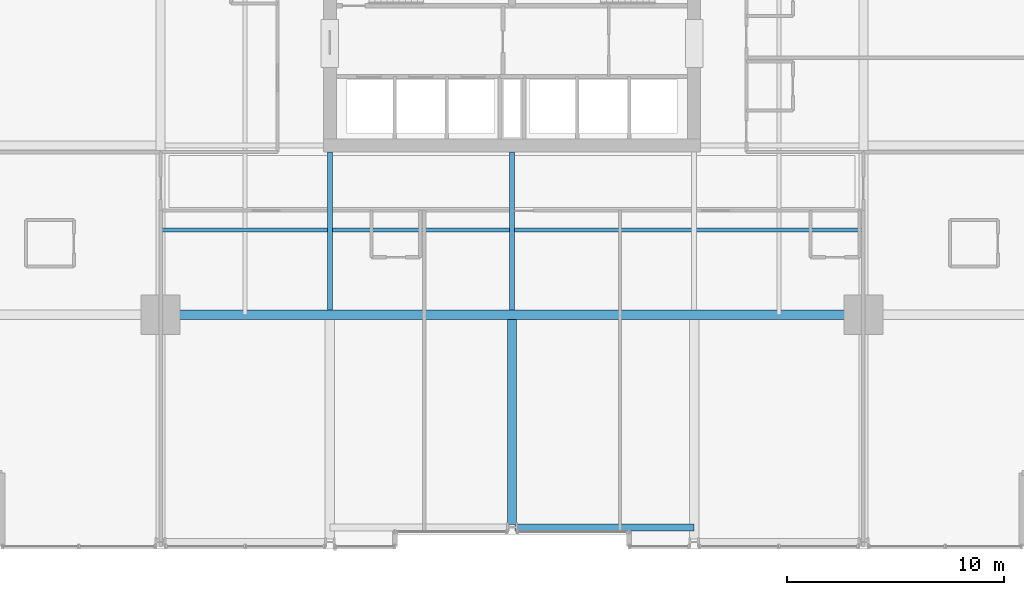
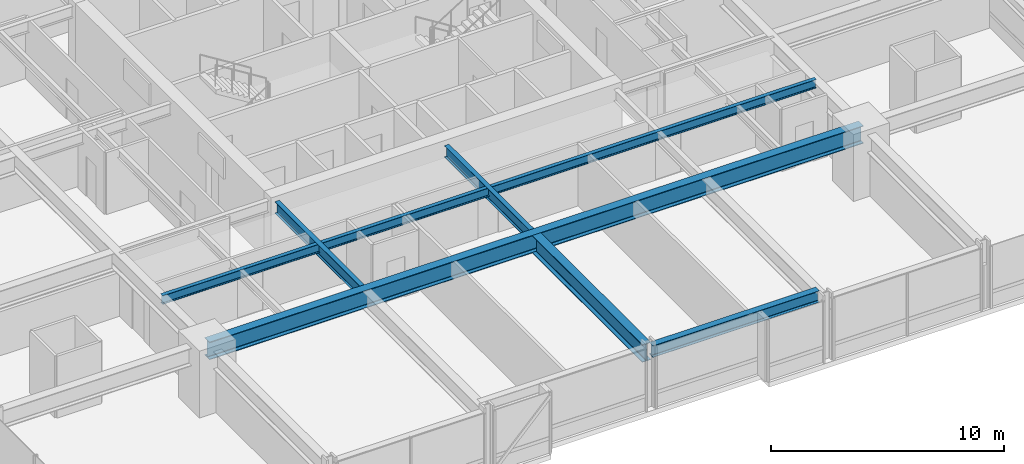
# One storey, part 6 of 38: 6 beams.
"""IFC4 building model written with IfcOpenShell, lengths in metres."""

from ifc_helpers import new_model, si_unit, direction, frame, origin, origin_2d, place, context, subcontext, project, spatial, i_section, extrude, material, material_profile, profile_set, type_object, element, save


model = new_model("IFC4")

# Units and contexts
model_context = context("Model", 3, precision=1e-05, world=origin(), true_north=direction((0.0, 1.0)))
body_context = subcontext(model_context, "Body", "Model", "MODEL_VIEW")
ifc_project = project(units=[si_unit("LENGTHUNIT", "METRE"), si_unit("AREAUNIT", "SQUARE_METRE"), si_unit("VOLUMEUNIT", "CUBIC_METRE"), si_unit("PLANEANGLEUNIT", "RADIAN"), si_unit("MASSUNIT", "GRAM", prefix="KILO")], contexts=[model_context])

# Site, building, storey
site_placement = place(None, origin())
site = spatial("IfcSite", under=ifc_project, at=site_placement, CompositionType="ELEMENT")
building_placement = place(site_placement, origin())
building = spatial("IfcBuilding", under=site, at=building_placement, Name="Drelvath Grand Hotel", CompositionType="ELEMENT")
storey_placement = place(building_placement, frame((0.0, 0.0, 47.199951171875)))
storey = spatial("IfcBuildingStorey", under=building, at=storey_placement, Name="L10", CompositionType="ELEMENT", Elevation=47.199951171875)

# Beams
ifc_material = material(Name="Steel ASTM A992 Gr 50", Category="steel")
ifc_material_profile_1 = material_profile(ifc_material, i_section(OverallWidth=0.19140625, OverallDepth=0.4599609375, WebThickness=0.010009765625, FlangeThickness=0.01611328125, FilletRadius=0.01611328125, at=origin_2d()), Name="W18X55")
ifc_profile_set_1 = profile_set([ifc_material_profile_1], Name="Steel ASTM A992 Gr 50")
beam_type_1 = type_object("IfcBeamType", Name="Composite Floor Joist W18X55", PredefinedType="JOIST", material=ifc_profile_set_1)
beam_1_placement = place(storey_placement, frame((-16.199951171875, 14.699951171875, 3.010009765625), z_axis=(1.0, 0.0, 0.0), x_axis=(0.0, 1.0, 0.0)))
element("IfcBeam", 1, at=beam_1_placement, inside=storey, type_object=beam_type_1, Name="L10 Floor Joist J1", PredefinedType="JOIST", context=body_context, shape_type="SweptSolid", body=[
    extrude(i_section(OverallWidth=0.19140625, OverallDepth=0.4599609375, WebThickness=0.010009765625, FlangeThickness=0.01611328125, FilletRadius=0.01611328125, at=origin_2d()), origin(), (0.0, 0.0, 1.0), 32.39990234375),
])
ifc_material_profile_2 = material_profile(ifc_material, i_section(OverallWidth=0.323974609375, OverallDepth=0.611083984375, WebThickness=0.0126953125, FlangeThickness=0.01904296875, FilletRadius=0.02197265625, at=origin_2d()), Name="W24X104")
ifc_profile_set_2 = profile_set([ifc_material_profile_2], Name="Steel ASTM A992 Gr 50")
beam_type_2 = type_object("IfcBeamType", Name="Perimeter Spandrel Beam W24X104", PredefinedType="SPANDREL", material=ifc_profile_set_2)
beam_2_placement = place(storey_placement, frame((0.139892578125, 1.0, 2.9345703125), z_axis=(1.0, 0.0, 0.0), x_axis=(0.0, 1.0, 0.0)))
element("IfcBeam", 2, at=beam_2_placement, inside=storey, type_object=beam_type_2, Name="L10 Spandrel South Mid E", PredefinedType="SPANDREL", context=body_context, shape_type="SweptSolid", body=[
    extrude(i_section(OverallWidth=0.323974609375, OverallDepth=0.611083984375, WebThickness=0.0126953125, FlangeThickness=0.01904296875, FilletRadius=0.02197265625, at=origin_2d()), origin(), (0.0, 0.0, 1.0), 8.260009765625),
])
ifc_material_profile_3 = material_profile(ifc_material, i_section(OverallWidth=0.228271484375, OverallDepth=0.607666015625, WebThickness=0.01123046875, FlangeThickness=0.017333984375, FilletRadius=0.02001953125, at=origin_2d()), Name="W24X76")
ifc_profile_set_3 = profile_set([ifc_material_profile_3], Name="Steel ASTM A992 Gr 50")
beam_type_3 = type_object("IfcBeamType", Name="Primary Floor Girder W24X76", PredefinedType="BEAM", material=ifc_profile_set_3)
for number, where, z_axis, x_axis, name in (
    (3, (-8.39990234375, 11.00927734375, 2.936279296875), (0.0, 1.0, 0.0), (-1.0, 0.0, 0.0), "L10 South Core Tie 4"),
    (4, (0.0, 11.00927734375, 2.936279296875), (0.0, 1.0, 0.0), (-1.0, 0.0, 0.0), "L10 South Core Tie 5"),
):
    element("IfcBeam", number, at=place(storey_placement, frame(where, z_axis=z_axis, x_axis=x_axis)), inside=storey, type_object=beam_type_3, Name=name, PredefinedType="BEAM", context=body_context, shape_type="SweptSolid", body=[
        extrude(i_section(OverallWidth=0.228271484375, OverallDepth=0.607666015625, WebThickness=0.01123046875, FlangeThickness=0.017333984375, FilletRadius=0.02001953125, at=origin_2d()), origin(), (0.0, 0.0, 1.0), 7.290771484375),
    ])
ifc_material_profile_4 = material_profile(ifc_material, i_section(OverallWidth=0.418212890625, OverallDepth=0.926513671875, WebThickness=0.019287109375, FlangeThickness=0.031982421875, FilletRadius=0.028076171875, at=origin_2d()), Name="W36X231")
ifc_profile_set_4 = profile_set([ifc_material_profile_4], Name="Steel ASTM A992 Gr 50")
beam_type_4 = type_object("IfcBeamType", Name="Primary Floor Girder W36X231", PredefinedType="BEAM", material=ifc_profile_set_4)
beam_3_placement = place(storey_placement, frame((-16.199951171875, 10.800048828125, 2.77685546875), z_axis=(1.0, 0.0, 0.0), x_axis=(0.0, 1.0, 0.0)))
element("IfcBeam", 5, at=beam_3_placement, inside=storey, type_object=beam_type_4, Name="L10 Mega Ring Girder South", PredefinedType="BEAM", context=body_context, shape_type="SweptSolid", body=[
    extrude(i_section(OverallWidth=0.418212890625, OverallDepth=0.926513671875, WebThickness=0.019287109375, FlangeThickness=0.031982421875, FilletRadius=0.028076171875, at=origin_2d()), origin(), (0.0, 0.0, 1.0), 32.39990234375),
])
beam_4_placement = place(storey_placement, frame((0.0, 1.139892578125, 2.77685546875), z_axis=(0.0, 1.0, 0.0), x_axis=(-1.0, 0.0, 0.0)))
element("IfcBeam", 6, at=beam_4_placement, inside=storey, type_object=beam_type_4, Name="L10 South Wing Girder 5", PredefinedType="BEAM", context=body_context, shape_type="SweptSolid", body=[
    extrude(i_section(OverallWidth=0.418212890625, OverallDepth=0.926513671875, WebThickness=0.019287109375, FlangeThickness=0.031982421875, FilletRadius=0.028076171875, at=origin_2d()), origin(), (0.0, 0.0, 1.0), 9.450927734375),
])

save(model, "model.ifc")
